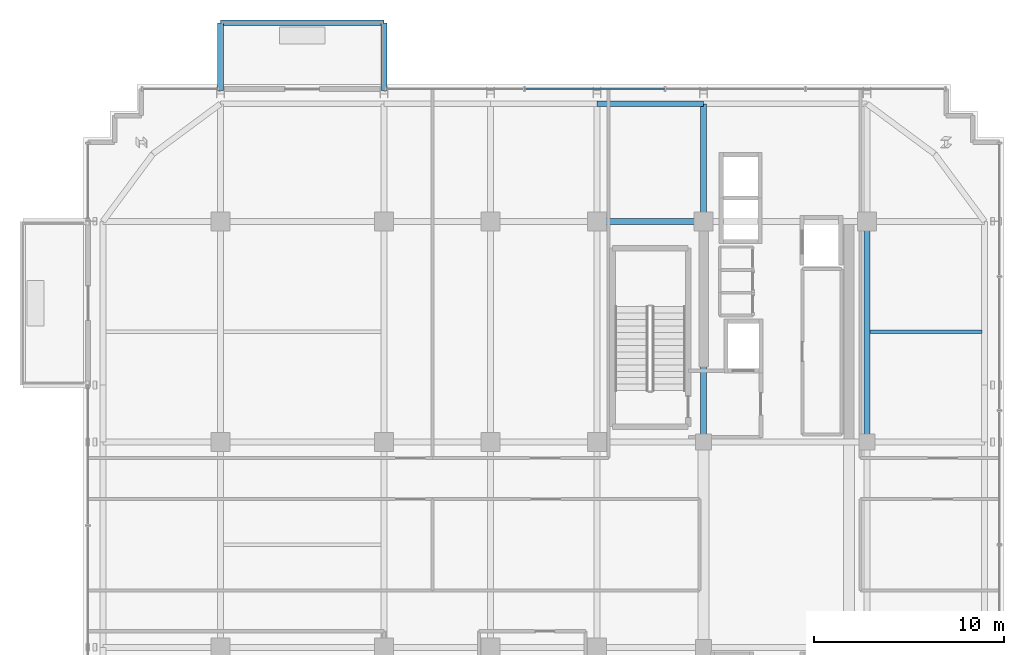
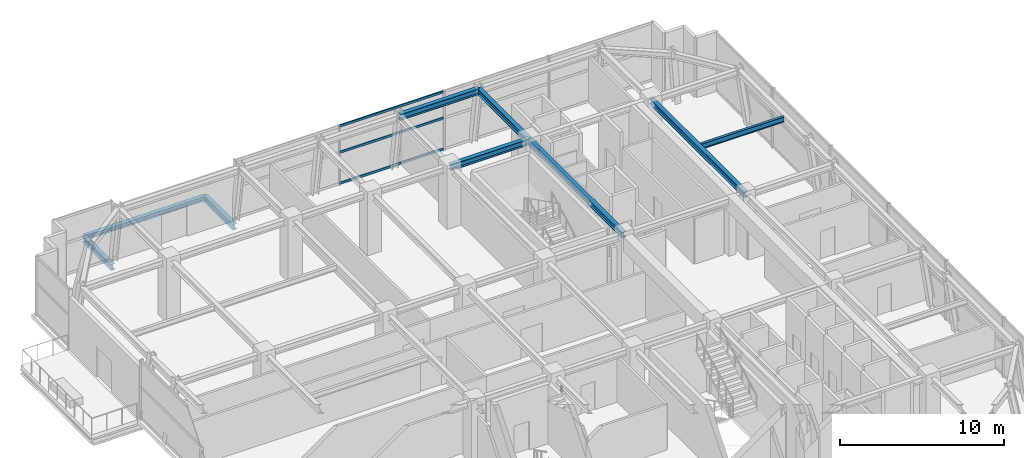
# One storey, part 17 of 28: 9 beams, 3 members, 1 element without a shape of its own.
"""IFC4 building model written with IfcOpenShell, lengths in metres."""

from ifc_helpers import new_model, si_unit, direction, frame, origin, origin_2d, place, context, subcontext, project, spatial, hollow_rectangle, i_section, extrude, source, transform, mapped, material, material_profile, profile_set, type_object, element, aggregate, save


model = new_model("IFC4")

# Units and contexts
model_context = context("Model", 3, precision=1e-05, world=origin(), true_north=direction((0.0, 1.0)))
body_context = subcontext(model_context, "Body", "Model", "MODEL_VIEW")
ifc_project = project(units=[si_unit("LENGTHUNIT", "METRE"), si_unit("AREAUNIT", "SQUARE_METRE"), si_unit("VOLUMEUNIT", "CUBIC_METRE"), si_unit("PLANEANGLEUNIT", "RADIAN"), si_unit("MASSUNIT", "GRAM", prefix="KILO")], contexts=[model_context])

# Site, building, storey
site_placement = place(None, origin())
site = spatial("IfcSite", under=ifc_project, at=site_placement, CompositionType="ELEMENT")
building_placement = place(site_placement, origin())
building = spatial("IfcBuilding", under=site, at=building_placement, Name="Nahalor Promenade Grand Hotel", CompositionType="ELEMENT")
storey_placement = place(building_placement, frame((0.0, 0.0, 256.699951171875)))
storey = spatial("IfcBuildingStorey", under=building, at=storey_placement, Name="L66", CompositionType="ELEMENT", Elevation=256.699951171875)

# Beams
ifc_material_1 = material(Name="Steel S355JR", Category="steel")
ifc_material_profile_1 = material_profile(ifc_material_1, i_section(OverallWidth=0.3, OverallDepth=0.32, WebThickness=0.0115, FlangeThickness=0.0205, at=origin_2d()), Name="HEB 320")
ifc_profile_set_1 = profile_set([ifc_material_profile_1], Name="Steel S355JR")
beam_type_1 = type_object("IfcBeamType", Name="Beam-BalcEdge-HEB320", PredefinedType="SPANDREL", material=ifc_profile_set_1)
shared_shape_1 = source(origin(), body_context, "Body", "SweptSolid", [
    extrude(i_section(OverallWidth=0.3, OverallDepth=0.32, WebThickness=0.0115, FlangeThickness=0.0205, at=origin_2d()), origin(), (0.0, 0.0, 1.0), 8.60009765625),
])
beam_1_placement = place(storey_placement, frame((-17.0, 27.43994140625, -0.43994140625), z_axis=(1.0, 0.0, 0.0), x_axis=(0.0, 1.0, 0.0)))
element("IfcBeam", 1, at=beam_1_placement, inside=storey, type_object=beam_type_1, Name="BM-L66-BC-01-F", PredefinedType="SPANDREL", context=body_context, shape_type="MappedRepresentation", body=[
    mapped(shared_shape_1, transform((0.0, 0.0, 0.0), scale=1.0)),
])
ifc_material_profile_2 = material_profile(ifc_material_1, i_section(OverallWidth=0.3, OverallDepth=0.45, WebThickness=0.014, FlangeThickness=0.026, at=origin_2d()), Name="HEB 450")
ifc_profile_set_2 = profile_set([ifc_material_profile_2], Name="Steel S355JR")
beam_type_2 = type_object("IfcBeamType", Name="Beam-Outrigger-HEB450", PredefinedType="BEAM", material=ifc_profile_set_2)
shared_shape_2 = source(origin(), body_context, "Body", "SweptSolid", [
    extrude(i_section(OverallWidth=0.3, OverallDepth=0.45, WebThickness=0.014, FlangeThickness=0.026, at=origin_2d()), origin(), (0.0, 0.0, 1.0), 3.56005859375),
])
for number, where, z_axis, x_axis, name in (
    (2, (-17.0, 23.8798828125, -0.5048828125), (0.0, 1.0, 0.0), (-1.0, 0.0, 0.0), "BM-L66-BC-01-1"),
    (3, (-8.39990234375, 23.8798828125, -0.5048828125), (0.0, 1.0, 0.0), (-1.0, 0.0, 0.0), "BM-L66-BC-01-2"),
):
    element("IfcBeam", number, at=place(storey_placement, frame(where, z_axis=z_axis, x_axis=x_axis)), inside=storey, type_object=beam_type_2, Name=name, PredefinedType="BEAM", context=body_context, shape_type="MappedRepresentation", body=[
        mapped(shared_shape_2, transform((0.0, 0.0, 0.0), scale=1.0)),
    ])
ifc_material_profile_3 = material_profile(ifc_material_1, i_section(OverallWidth=0.3, OverallDepth=0.45, WebThickness=0.014, FlangeThickness=0.026, at=origin_2d()), Name="HEB 450")
ifc_profile_set_3 = profile_set([ifc_material_profile_3], Name="Steel S355JR")
beam_type_3 = type_object("IfcBeamType", Name="Beam-Spandrel-HEB450", PredefinedType="SPANDREL", material=ifc_profile_set_3)
shared_shape_3 = source(origin(), body_context, "Body", "SweptSolid", [
    extrude(i_section(OverallWidth=0.3, OverallDepth=0.45, WebThickness=0.014, FlangeThickness=0.026, at=origin_2d()), origin(), (0.0, 0.0, 1.0), 5.599853515625),
])
beam_2_placement = place(storey_placement, frame((2.800048828125, 23.179931640625, 4.215087890625), z_axis=(1.0, 0.0, 0.0), x_axis=(0.0, 1.0, 0.0)))
element("IfcBeam", 4, at=beam_2_placement, inside=storey, type_object=beam_type_3, Name="BM-L66-SP-N-3", PredefinedType="SPANDREL", context=body_context, shape_type="MappedRepresentation", body=[
    mapped(shared_shape_3, transform((0.0, 0.0, 0.0), scale=1.0)),
])
ifc_material_profile_4 = material_profile(ifc_material_1, i_section(OverallWidth=0.3, OverallDepth=0.45, WebThickness=0.014, FlangeThickness=0.026, at=origin_2d()), Name="HEB 450")
ifc_profile_set_4 = profile_set([ifc_material_profile_4], Name="Steel S355JR")
beam_type_4 = type_object("IfcBeamType", Name="Beam-Girder-HEB450", PredefinedType="BEAM", material=ifc_profile_set_4)
shared_shape_4 = source(origin(), body_context, "Body", "SweptSolid", [
    extrude(i_section(OverallWidth=0.3, OverallDepth=0.45, WebThickness=0.014, FlangeThickness=0.026, at=origin_2d()), origin(), (0.0, 0.0, 1.0), 5.599853515625),
])
beam_3_placement = place(storey_placement, frame((2.800048828125, 17.0, 4.215087890625), z_axis=(1.0, 0.0, 0.0), x_axis=(0.0, 1.0, 0.0)))
element("IfcBeam", 5, at=beam_3_placement, inside=storey, type_object=beam_type_4, Name="BM-L66-GX-3-4", PredefinedType="BEAM", context=body_context, shape_type="MappedRepresentation", body=[
    mapped(shared_shape_4, transform((0.0, 0.0, 0.0), scale=1.0)),
])
shared_shape_5 = source(origin(), body_context, "Body", "SweptSolid", [
    extrude(i_section(OverallWidth=0.3, OverallDepth=0.45, WebThickness=0.014, FlangeThickness=0.026, at=origin_2d()), origin(), (0.0, 0.0, 1.0), 11.60009765625),
])
for number, where, z_axis, x_axis, name in (
    (6, (8.39990234375, 5.39990234375, 4.215087890625), (0.0, 1.0, 0.0), (-1.0, 0.0, 0.0), "BM-L66-GY-4-3"),
    (7, (17.0, 5.39990234375, 4.215087890625), (0.0, 1.0, 0.0), (-1.0, 0.0, 0.0), "BM-L66-GY-5-3"),
):
    element("IfcBeam", number, at=place(storey_placement, frame(where, z_axis=z_axis, x_axis=x_axis)), inside=storey, type_object=beam_type_4, Name=name, PredefinedType="BEAM", context=body_context, shape_type="MappedRepresentation", body=[
        mapped(shared_shape_5, transform((0.0, 0.0, 0.0), scale=1.0)),
    ])
shared_shape_6 = source(origin(), body_context, "Body", "SweptSolid", [
    extrude(i_section(OverallWidth=0.3, OverallDepth=0.45, WebThickness=0.014, FlangeThickness=0.026, at=origin_2d()), origin(), (0.0, 0.0, 1.0), 6.179931640625),
])
beam_4_placement = place(storey_placement, frame((8.39990234375, 17.0, 4.215087890625), z_axis=(0.0, 1.0, 0.0), x_axis=(-1.0, 0.0, 0.0)))
element("IfcBeam", 8, at=beam_4_placement, inside=storey, type_object=beam_type_4, Name="BM-L66-GY-4-4", PredefinedType="BEAM", context=body_context, shape_type="MappedRepresentation", body=[
    mapped(shared_shape_6, transform((0.0, 0.0, 0.0), scale=1.0)),
])
ifc_material_profile_5 = material_profile(ifc_material_1, i_section(OverallWidth=0.18, OverallDepth=0.4, WebThickness=0.0086, FlangeThickness=0.0135, at=origin_2d()), Name="IPE 400")
ifc_profile_set_5 = profile_set([ifc_material_profile_5], Name="Steel S355JR")
beam_type_5 = type_object("IfcBeamType", Name="Beam-Joist-IPE400", PredefinedType="JOIST", material=ifc_profile_set_5)
shared_shape_7 = source(origin(), body_context, "Body", "SweptSolid", [
    extrude(i_section(OverallWidth=0.18, OverallDepth=0.4, WebThickness=0.0086, FlangeThickness=0.0135, at=origin_2d()), origin(), (0.0, 0.0, 1.0), 5.880126953125),
])
beam_5_placement = place(storey_placement, frame((17.14990234375, 11.199951171875, 4.239990234375), z_axis=(1.0, 0.0, 0.0), x_axis=(0.0, 1.0, 0.0)))
element("IfcBeam", 9, at=beam_5_placement, inside=storey, type_object=beam_type_5, Name="BM-L66-JSE-1-2", PredefinedType="JOIST", context=body_context, shape_type="MappedRepresentation", body=[
    mapped(shared_shape_7, transform((0.0, 0.0, 0.0), scale=1.0)),
])

# Curtain wall, members
ifc_material_2 = material(Name="Anodised Bronze Aluminium EN AW-6063 T6", Category="aluminium")
curtain_wall_type = type_object("IfcCurtainWallType", Name="CW5 Sky-Lobby & Observation Panoramic Curtain Wall", PredefinedType="USERDEFINED", material=ifc_material_2)
curtain_wall_placement = place(storey_placement, origin())
curtain_wall = element("IfcCurtainWall", 10, at=curtain_wall_placement, inside=storey, type_object=curtain_wall_type, Name="L66 Curtain Wall CW-L66-N-3", ObjectType="UNITISED_CURTAIN_WALL", PredefinedType="USERDEFINED")
ifc_material_profile_6 = material_profile(ifc_material_2, hollow_rectangle(XDim=0.085, YDim=0.17, WallThickness=0.005, at=origin_2d()), Name="CWT 85x170x5")
ifc_profile_set_6 = profile_set([ifc_material_profile_6], Name="Anodised Bronze Aluminium EN AW-6063 T6")
member_type = type_object("IfcMemberType", Name="CWT5 Panoramic Transom 85x170", PredefinedType="USERDEFINED", material=ifc_profile_set_6)
shared_shape_8 = source(origin(), body_context, "Body", "SweptSolid", [
    extrude(hollow_rectangle(XDim=0.085, YDim=0.17, WallThickness=0.005, at=origin_2d()), origin(), (0.0, 0.0, 1.0), 7.304931640625),
])
member_1_placement = place(storey_placement, frame((-0.967529296875, 23.9599609375, 0.0849609375), z_axis=(1.0, 0.0, 0.0), x_axis=(0.0, 1.0, 0.0)))
member_1 = element("IfcMember", 11, at=member_1_placement, type_object=member_type, Name="CW-L66-N-3 Transom 1-0", ObjectType="TRANSOM", PredefinedType="USERDEFINED", context=body_context, shape_type="MappedRepresentation", body=[
    mapped(shared_shape_8, transform((0.0, 0.0, 0.0), scale=1.0)),
])
member_2_placement = place(storey_placement, frame((-0.967529296875, 23.9599609375, 2.400146484375), z_axis=(1.0, 0.0, 0.0), x_axis=(0.0, 1.0, 0.0)))
member_2 = element("IfcMember", 12, at=member_2_placement, type_object=member_type, Name="CW-L66-N-3 Transom 1-1", ObjectType="TRANSOM", PredefinedType="USERDEFINED", context=body_context, shape_type="MappedRepresentation", body=[
    mapped(shared_shape_8, transform((0.0, 0.0, 0.0), scale=1.0)),
])
member_3_placement = place(storey_placement, frame((-0.967529296875, 23.9599609375, 4.35498046875), z_axis=(1.0, 0.0, 0.0), x_axis=(0.0, 1.0, 0.0)))
member_3 = element("IfcMember", 13, at=member_3_placement, type_object=member_type, Name="CW-L66-N-3 Transom 1-2", ObjectType="TRANSOM", PredefinedType="USERDEFINED", context=body_context, shape_type="MappedRepresentation", body=[
    mapped(shared_shape_8, transform((0.0, 0.0, 0.0), scale=1.0)),
])
aggregate(curtain_wall, [member_1, member_2, member_3])

save(model, "model.ifc")
